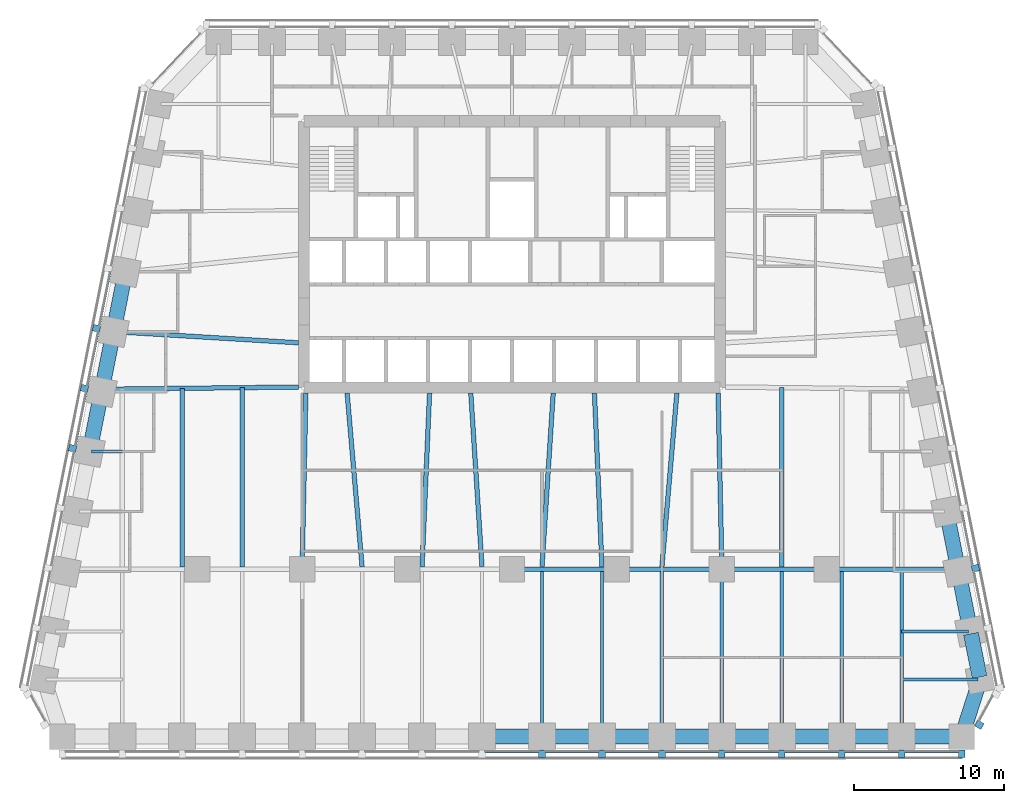
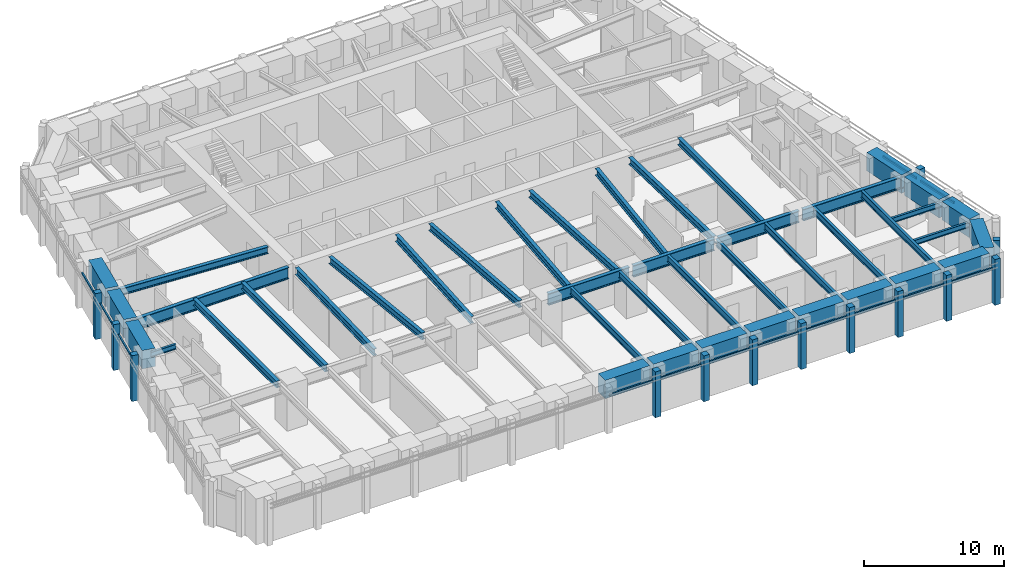
# One storey, part 2 of 10: 42 beams, 26 members, 4 elements without a shape of their own.
"""IFC4 building model written with IfcOpenShell, lengths in metres."""

from ifc_helpers import new_model, si_unit, direction, frame, origin, origin_2d, place, context, subcontext, project, spatial, rectangle, i_section, extrude, material, material_profile, profile_set, type_object, element, aggregate, save


model = new_model("IFC4")

# Units and contexts
model_context = context("Model", 3, precision=1e-05, world=origin(), true_north=direction((0.0, 1.0)))
body_context = subcontext(model_context, "Body", "Model", "MODEL_VIEW")
ifc_project = project(units=[si_unit("LENGTHUNIT", "METRE"), si_unit("AREAUNIT", "SQUARE_METRE"), si_unit("VOLUMEUNIT", "CUBIC_METRE"), si_unit("PLANEANGLEUNIT", "RADIAN"), si_unit("MASSUNIT", "GRAM", prefix="KILO")], contexts=[model_context])

# Site, building, storey
site_placement = place(None, origin())
site = spatial("IfcSite", under=ifc_project, at=site_placement, CompositionType="ELEMENT")
building_placement = place(site_placement, origin())
building = spatial("IfcBuilding", under=site, at=building_placement, Name="Isbrekke Arena Tower", CompositionType="ELEMENT")
storey_placement = place(building_placement, frame((0.0, 0.0, 159.0)))
storey = spatial("IfcBuildingStorey", under=building, at=storey_placement, Name="L36", CompositionType="ELEMENT", Elevation=159.0)

# Beams
ifc_material_1 = material(Name="Steel S355", Category="steel")
ifc_material_profile_1 = material_profile(ifc_material_1, i_section(OverallWidth=0.219970703125, OverallDepth=0.60009765625, WebThickness=0.011962890625, FlangeThickness=0.01904296875, FilletRadius=0.02392578125, at=origin_2d()), Name="IPE 600")
ifc_profile_set_1 = profile_set([ifc_material_profile_1], Name="Steel S355")
beam_type_1 = type_object("IfcBeamType", Name="B1 IPE 600", PredefinedType="BEAM", material=ifc_profile_set_1)
for number, where, z_axis, x_axis, name in (
    (1, (2.0, -17.02490234375, 3.550048828125), (0.0, 1.0, 0.0), (-1.0, 0.0, 0.0), "B1 beam S-S09 L36"),
    (2, (6.0, -17.02490234375, 3.550048828125), (0.0, 1.0, 0.0), (-1.0, 0.0, 0.0), "B1 beam S-S10 L36"),
    (3, (10.0, -17.02490234375, 3.550048828125), (0.0, 1.0, 0.0), (-1.0, 0.0, 0.0), "B1 beam S-S11 L36"),
):
    element("IfcBeam", number, at=place(storey_placement, frame(where, z_axis=z_axis, x_axis=x_axis)), inside=storey, type_object=beam_type_1, Name=name, PredefinedType="BEAM", context=body_context, shape_type="SweptSolid", body=[
        extrude(i_section(OverallWidth=0.219970703125, OverallDepth=0.60009765625, WebThickness=0.011962890625, FlangeThickness=0.01904296875, FilletRadius=0.02392578125, at=origin_2d()), origin(), (0.0, 0.0, 1.0), 10.8740234375),
    ])
beam_1_placement = place(storey_placement, frame((14.0, -17.02490234375, 3.550048828125), z_axis=(0.0, 1.0, 0.0), x_axis=(-1.0, 0.0, 0.0)))
element("IfcBeam", 4, at=beam_1_placement, inside=storey, type_object=beam_type_1, Name="B1 beam S-S12 L36", PredefinedType="BEAM", context=body_context, shape_type="SweptSolid", body=[
    extrude(i_section(OverallWidth=0.219970703125, OverallDepth=0.60009765625, WebThickness=0.011962890625, FlangeThickness=0.01904296875, FilletRadius=0.02392578125, at=origin_2d()), origin(), (0.0, 0.0, 1.0), 10.875),
])
for number, where, z_axis, x_axis, name in (
    (5, (18.0, -17.02490234375, 3.550048828125), (0.0, 1.0, 0.0), (-1.0, 0.0, 0.0), "B1 beam S-S13 L36"),
    (6, (22.0, -17.02490234375, 3.550048828125), (0.0, 1.0, 0.0), (-1.0, 0.0, 0.0), "B1 beam S-S14 L36"),
    (7, (26.0, -17.02490234375, 3.550048828125), (0.0, 1.0, 0.0), (-1.0, 0.0, 0.0), "B1 beam S-S15 L36"),
):
    element("IfcBeam", number, at=place(storey_placement, frame(where, z_axis=z_axis, x_axis=x_axis)), inside=storey, type_object=beam_type_1, Name=name, PredefinedType="BEAM", context=body_context, shape_type="SweptSolid", body=[
        extrude(i_section(OverallWidth=0.219970703125, OverallDepth=0.60009765625, WebThickness=0.011962890625, FlangeThickness=0.01904296875, FilletRadius=0.02392578125, at=origin_2d()), origin(), (0.0, 0.0, 1.0), 10.8740234375),
    ])
ifc_material_2 = material(Name="Steel S355", Category="steel")
ifc_material_profile_2 = material_profile(ifc_material_2, i_section(OverallWidth=0.18994140625, OverallDepth=0.449951171875, WebThickness=0.009521484375, FlangeThickness=0.0146484375, FilletRadius=0.02099609375, at=origin_2d()), Name="IPE 450")
ifc_profile_set_2 = profile_set([ifc_material_profile_2], Name="Steel S355")
beam_type_2 = type_object("IfcBeamType", Name="B2 IPE 450", PredefinedType="BEAM", material=ifc_profile_set_2)
beam_2_placement = place(storey_placement, frame((31.079345703125, -13.352783203125, 3.625), z_axis=(-1.0, 0.0, 0.0), x_axis=(0.0, -1.0, 0.0)))
element("IfcBeam", 8, at=beam_2_placement, inside=storey, type_object=beam_type_2, Name="B2 beam E-E01 L36", PredefinedType="BEAM", context=body_context, shape_type="SweptSolid", body=[
    extrude(i_section(OverallWidth=0.18994140625, OverallDepth=0.449951171875, WebThickness=0.009521484375, FlangeThickness=0.0146484375, FilletRadius=0.02099609375, at=origin_2d()), origin(), (0.0, 0.0, 1.0), 5.079345703125),
])
beam_3_placement = place(storey_placement, frame((30.44091796875, -10.161865234375, 3.625), z_axis=(-1.0, 0.0, 0.0), x_axis=(0.0, -1.0, 0.0)))
element("IfcBeam", 9, at=beam_3_placement, inside=storey, type_object=beam_type_2, Name="B2 beam E-E02 L36", PredefinedType="BEAM", context=body_context, shape_type="SweptSolid", body=[
    extrude(i_section(OverallWidth=0.18994140625, OverallDepth=0.449951171875, WebThickness=0.009521484375, FlangeThickness=0.0146484375, FilletRadius=0.02099609375, at=origin_2d()), origin(), (0.0, 0.0, 1.0), 4.44091796875),
])
beam_4_placement = place(storey_placement, frame((-28.041015625, 1.838134765625, 3.625), z_axis=(1.0, 0.0, 0.0), x_axis=(0.0, 1.0, 0.0)))
element("IfcBeam", 10, at=beam_4_placement, inside=storey, type_object=beam_type_2, Name="B2 beam E-W07 L36", PredefinedType="BEAM", context=body_context, shape_type="SweptSolid", body=[
    extrude(i_section(OverallWidth=0.18994140625, OverallDepth=0.449951171875, WebThickness=0.009521484375, FlangeThickness=0.0146484375, FilletRadius=0.02099609375, at=origin_2d()), origin(), (0.0, 0.0, 1.0), 2.041015625),
])
ifc_material_3 = material(Name="Steel S355", Category="steel")
ifc_material_profile_3 = material_profile(ifc_material_3, i_section(OverallWidth=0.300048828125, OverallDepth=0.60009765625, WebThickness=0.015380859375, FlangeThickness=0.030029296875, FilletRadius=0.027099609375, at=origin_2d()), Name="HEB 600")
ifc_profile_set_3 = profile_set([ifc_material_profile_3], Name="Steel S355")
beam_type_3 = type_object("IfcBeamType", Name="B7 HEB 600", PredefinedType="BEAM", material=ifc_profile_set_3)
beam_5_placement = place(storey_placement, frame((-22.0, -5.84912109375, 3.550048828125), z_axis=(0.0, 1.0, 0.0), x_axis=(-1.0, 0.0, 0.0)))
element("IfcBeam", 11, at=beam_5_placement, inside=storey, type_object=beam_type_3, Name="B7 beam C-M02 L36", PredefinedType="BEAM", context=body_context, shape_type="SweptSolid", body=[
    extrude(i_section(OverallWidth=0.300048828125, OverallDepth=0.60009765625, WebThickness=0.015380859375, FlangeThickness=0.030029296875, FilletRadius=0.027099609375, at=origin_2d()), origin(), (0.0, 0.0, 1.0), 11.91064453125),
])
beam_6_placement = place(storey_placement, frame((-18.0, -5.84912109375, 3.550048828125), z_axis=(0.0, 1.0, 0.0), x_axis=(-1.0, 0.0, 0.0)))
element("IfcBeam", 12, at=beam_6_placement, inside=storey, type_object=beam_type_3, Name="B7 beam C-M03 L36", PredefinedType="BEAM", context=body_context, shape_type="SweptSolid", body=[
    extrude(i_section(OverallWidth=0.300048828125, OverallDepth=0.60009765625, WebThickness=0.015380859375, FlangeThickness=0.030029296875, FilletRadius=0.027099609375, at=origin_2d()), origin(), (0.0, 0.0, 1.0), 11.956298828125),
])
beam_7_placement = place(storey_placement, frame((-14.0, -5.8466796875, 3.550048828125), z_axis=(0.021552887044, 0.999767709551, 0.0), x_axis=(-0.999767709551, 0.021552887044, 0.0)))
element("IfcBeam", 13, at=beam_7_placement, inside=storey, type_object=beam_type_3, Name="B7 beam C-M04 L36", PredefinedType="BEAM", context=body_context, shape_type="SweptSolid", body=[
    extrude(i_section(OverallWidth=0.300048828125, OverallDepth=0.60009765625, WebThickness=0.015380859375, FlangeThickness=0.030029296875, FilletRadius=0.027099609375, at=origin_2d()), origin(), (0.0, 0.0, 1.0), 11.599365234375),
])
beam_8_placement = place(storey_placement, frame((-10.001220703125, -5.836181640625, 3.550048828125), z_axis=(-0.085885827104, 0.996304985786, 0.0), x_axis=(-0.996304985786, -0.085885827104, 0.0)))
element("IfcBeam", 14, at=beam_8_placement, inside=storey, type_object=beam_type_3, Name="B7 beam C-M05 L36", PredefinedType="BEAM", context=body_context, shape_type="SweptSolid", body=[
    extrude(i_section(OverallWidth=0.300048828125, OverallDepth=0.60009765625, WebThickness=0.015380859375, FlangeThickness=0.030029296875, FilletRadius=0.027099609375, at=origin_2d()), origin(), (0.0, 0.0, 1.0), 11.629150390625),
])
beam_9_placement = place(storey_placement, frame((-5.999755859375, -5.842529296875, 3.550048828125), z_axis=(0.043070161667, 0.999072050041, 0.0), x_axis=(-0.999072050041, 0.043070161667, 0.0)))
element("IfcBeam", 15, at=beam_9_placement, inside=storey, type_object=beam_type_3, Name="B7 beam C-M06 L36", PredefinedType="BEAM", context=body_context, shape_type="SweptSolid", body=[
    extrude(i_section(OverallWidth=0.300048828125, OverallDepth=0.60009765625, WebThickness=0.015380859375, FlangeThickness=0.030029296875, FilletRadius=0.027099609375, at=origin_2d()), origin(), (0.0, 0.0, 1.0), 11.603271484375),
])
for number, where, z_axis, x_axis, name in (
    (16, (-2.000732421875, -5.83935546875, 3.550048828125), (-0.064516666031, 0.997916629686, 0.0), (-0.997916629686, -0.064516666031, 0.0), "B7 beam C-M07 L36"),
    (17, (2.000732421875, -5.83935546875, 3.550048828125), (0.064516666031, 0.997916629686, 0.0), (-0.997916629686, 0.064516666031, 0.0), "B7 beam C-M08 L36"),
):
    element("IfcBeam", number, at=place(storey_placement, frame(where, z_axis=z_axis, x_axis=x_axis)), inside=storey, type_object=beam_type_3, Name=name, PredefinedType="BEAM", context=body_context, shape_type="SweptSolid", body=[
        extrude(i_section(OverallWidth=0.300048828125, OverallDepth=0.60009765625, WebThickness=0.015380859375, FlangeThickness=0.030029296875, FilletRadius=0.027099609375, at=origin_2d()), origin(), (0.0, 0.0, 1.0), 11.613525390625),
    ])
beam_10_placement = place(storey_placement, frame((5.999755859375, -5.842529296875, 3.550048828125), z_axis=(-0.043070161667, 0.999072050041, 0.0), x_axis=(-0.999072050041, -0.043070161667, 0.0)))
element("IfcBeam", 18, at=beam_10_placement, inside=storey, type_object=beam_type_3, Name="B7 beam C-M09 L36", PredefinedType="BEAM", context=body_context, shape_type="SweptSolid", body=[
    extrude(i_section(OverallWidth=0.300048828125, OverallDepth=0.60009765625, WebThickness=0.015380859375, FlangeThickness=0.030029296875, FilletRadius=0.027099609375, at=origin_2d()), origin(), (0.0, 0.0, 1.0), 11.603271484375),
])
beam_11_placement = place(storey_placement, frame((10.001220703125, -5.836181640625, 3.550048828125), z_axis=(0.085885827104, 0.996304985786, 0.0), x_axis=(-0.996304985786, 0.085885827104, 0.0)))
element("IfcBeam", 19, at=beam_11_placement, inside=storey, type_object=beam_type_3, Name="B7 beam C-M10 L36", PredefinedType="BEAM", context=body_context, shape_type="SweptSolid", body=[
    extrude(i_section(OverallWidth=0.300048828125, OverallDepth=0.60009765625, WebThickness=0.015380859375, FlangeThickness=0.030029296875, FilletRadius=0.027099609375, at=origin_2d()), origin(), (0.0, 0.0, 1.0), 11.629150390625),
])
beam_12_placement = place(storey_placement, frame((14.0, -5.8466796875, 3.550048828125), z_axis=(-0.021552887044, 0.999767709551, 0.0), x_axis=(-0.999767709551, -0.021552887044, 0.0)))
element("IfcBeam", 20, at=beam_12_placement, inside=storey, type_object=beam_type_3, Name="B7 beam C-M11 L36", PredefinedType="BEAM", context=body_context, shape_type="SweptSolid", body=[
    extrude(i_section(OverallWidth=0.300048828125, OverallDepth=0.60009765625, WebThickness=0.015380859375, FlangeThickness=0.030029296875, FilletRadius=0.027099609375, at=origin_2d()), origin(), (0.0, 0.0, 1.0), 11.599365234375),
])
beam_13_placement = place(storey_placement, frame((18.0, -5.84912109375, 3.550048828125), z_axis=(0.0, 1.0, 0.0), x_axis=(-1.0, 0.0, 0.0)))
element("IfcBeam", 21, at=beam_13_placement, inside=storey, type_object=beam_type_3, Name="B7 beam C-M12 L36", PredefinedType="BEAM", context=body_context, shape_type="SweptSolid", body=[
    extrude(i_section(OverallWidth=0.300048828125, OverallDepth=0.60009765625, WebThickness=0.015380859375, FlangeThickness=0.030029296875, FilletRadius=0.027099609375, at=origin_2d()), origin(), (0.0, 0.0, 1.0), 11.956298828125),
])
beam_14_placement = place(storey_placement, frame((-26.431884765625, 9.837646484375, 3.550048828125), z_axis=(0.998172191876, -0.060434057993, 0.0), x_axis=(0.060434057993, 0.998172191876, 0.0)))
element("IfcBeam", 22, at=beam_14_placement, inside=storey, type_object=beam_type_3, Name="B7 beam E-W05 L36", PredefinedType="BEAM", context=body_context, shape_type="SweptSolid", body=[
    extrude(i_section(OverallWidth=0.300048828125, OverallDepth=0.60009765625, WebThickness=0.015380859375, FlangeThickness=0.030029296875, FilletRadius=0.027099609375, at=origin_2d()), origin(), (0.0, 0.0, 1.0), 12.2041015625),
])

# Curtain wall, members
ifc_material_4 = material(Name="Glazed aluminium curtain wall", Category="aluminium")
curtain_wall_type = type_object("IfcCurtainWallType", Name="CWM TOWER CURTAIN WALL MID ZONE", PredefinedType="USERDEFINED", material=ifc_material_4)
curtain_wall_1_placement = place(storey_placement, origin())
curtain_wall_1 = element("IfcCurtainWall", 23, at=curtain_wall_1_placement, inside=storey, type_object=curtain_wall_type, Name="CWM curtain wall L36-S", ObjectType="TOWER CURTAIN WALL MID ZONE", PredefinedType="USERDEFINED")
ifc_material_5 = material(Name="Aluminium mullion, pale brick slip cladding", Category="masonry")
ifc_material_profile_4 = material_profile(ifc_material_5, rectangle(XDim=0.449951171875, YDim=0.5, at=origin_2d()), Name="PIER 450X500")
ifc_profile_set_4 = profile_set([ifc_material_profile_4], Name="Aluminium mullion, pale brick slip cladding")
member_type_1 = type_object("IfcMemberType", Name="CWM-M PIER MULLION 450 x 500", PredefinedType="MULLION", material=ifc_profile_set_4)
member_1_placement = place(storey_placement, frame((2.0, -18.324951171875, 0.0), z_axis=(0.0, 0.0, 1.0), x_axis=(1.0, 0.0, 0.0)))
member_1 = element("IfcMember", 24, at=member_1_placement, type_object=member_type_1, Name="CWM-M mullion 9", PredefinedType="MULLION", context=body_context, shape_type="SweptSolid", body=[
    extrude(rectangle(XDim=0.449951171875, YDim=0.5, at=origin_2d()), origin(), (0.0, 0.0, 1.0), 4.0),
])
member_2_placement = place(storey_placement, frame((6.0, -18.324951171875, 0.0), z_axis=(0.0, 0.0, 1.0), x_axis=(1.0, 0.0, 0.0)))
member_2 = element("IfcMember", 25, at=member_2_placement, type_object=member_type_1, Name="CWM-M mullion 10", PredefinedType="MULLION", context=body_context, shape_type="SweptSolid", body=[
    extrude(rectangle(XDim=0.449951171875, YDim=0.5, at=origin_2d()), origin(), (0.0, 0.0, 1.0), 4.0),
])
member_3_placement = place(storey_placement, frame((10.0, -18.324951171875, 0.0), z_axis=(0.0, 0.0, 1.0), x_axis=(1.0, 0.0, 0.0)))
member_3 = element("IfcMember", 26, at=member_3_placement, type_object=member_type_1, Name="CWM-M mullion 11", PredefinedType="MULLION", context=body_context, shape_type="SweptSolid", body=[
    extrude(rectangle(XDim=0.449951171875, YDim=0.5, at=origin_2d()), origin(), (0.0, 0.0, 1.0), 4.0),
])
member_4_placement = place(storey_placement, frame((14.0, -18.324951171875, 0.0), z_axis=(0.0, 0.0, 1.0), x_axis=(1.0, 0.0, 0.0)))
member_4 = element("IfcMember", 27, at=member_4_placement, type_object=member_type_1, Name="CWM-M mullion 12", PredefinedType="MULLION", context=body_context, shape_type="SweptSolid", body=[
    extrude(rectangle(XDim=0.449951171875, YDim=0.5, at=origin_2d()), origin(), (0.0, 0.0, 1.0), 4.0),
])
member_5_placement = place(storey_placement, frame((18.0, -18.324951171875, 0.0), z_axis=(0.0, 0.0, 1.0), x_axis=(1.0, 0.0, 0.0)))
member_5 = element("IfcMember", 28, at=member_5_placement, type_object=member_type_1, Name="CWM-M mullion 13", PredefinedType="MULLION", context=body_context, shape_type="SweptSolid", body=[
    extrude(rectangle(XDim=0.449951171875, YDim=0.5, at=origin_2d()), origin(), (0.0, 0.0, 1.0), 4.0),
])
member_6_placement = place(storey_placement, frame((22.0, -18.324951171875, 0.0), z_axis=(0.0, 0.0, 1.0), x_axis=(1.0, 0.0, 0.0)))
member_6 = element("IfcMember", 29, at=member_6_placement, type_object=member_type_1, Name="CWM-M mullion 14", PredefinedType="MULLION", context=body_context, shape_type="SweptSolid", body=[
    extrude(rectangle(XDim=0.449951171875, YDim=0.5, at=origin_2d()), origin(), (0.0, 0.0, 1.0), 4.0),
])
member_7_placement = place(storey_placement, frame((26.0, -18.324951171875, 0.0), z_axis=(0.0, 0.0, 1.0), x_axis=(1.0, 0.0, 0.0)))
member_7 = element("IfcMember", 30, at=member_7_placement, type_object=member_type_1, Name="CWM-M mullion 15", PredefinedType="MULLION", context=body_context, shape_type="SweptSolid", body=[
    extrude(rectangle(XDim=0.449951171875, YDim=0.5, at=origin_2d()), origin(), (0.0, 0.0, 1.0), 4.0),
])
member_8_placement = place(storey_placement, frame((30.0, -18.324951171875, 0.0), z_axis=(0.0, 0.0, 1.0), x_axis=(1.0, 0.0, 0.0)))
member_8 = element("IfcMember", 31, at=member_8_placement, type_object=member_type_1, Name="CWM-M mullion 16", PredefinedType="MULLION", context=body_context, shape_type="SweptSolid", body=[
    extrude(rectangle(XDim=0.449951171875, YDim=0.5, at=origin_2d()), origin(), (0.0, 0.0, 1.0), 4.0),
])

# Curtain wall, member
curtain_wall_2_placement = place(storey_placement, origin())
curtain_wall_2 = element("IfcCurtainWall", 32, at=curtain_wall_2_placement, inside=storey, type_object=curtain_wall_type, Name="CWM curtain wall L36-SE", ObjectType="TOWER CURTAIN WALL MID ZONE", PredefinedType="USERDEFINED")
member_9_placement = place(storey_placement, frame((31.17529296875, -16.382080078125, 0.0), z_axis=(0.0, 0.0, 1.0), x_axis=(0.481918749773, 0.876215908676, 0.0)))
member_9 = element("IfcMember", 33, at=member_9_placement, type_object=member_type_1, Name="CWM-M mullion 1", PredefinedType="MULLION", context=body_context, shape_type="SweptSolid", body=[
    extrude(rectangle(XDim=0.449951171875, YDim=0.5, at=origin_2d()), origin(), (0.0, 0.0, 1.0), 4.0),
])
aggregate(curtain_wall_2, [member_9])

curtain_wall_3_placement = place(storey_placement, origin())
curtain_wall_3 = element("IfcCurtainWall", 34, at=curtain_wall_3_placement, inside=storey, type_object=curtain_wall_type, Name="CWM curtain wall L36-E", ObjectType="TOWER CURTAIN WALL MID ZONE", PredefinedType="USERDEFINED")
member_10_placement = place(storey_placement, frame((30.918701171875, -5.936279296875, 0.0), z_axis=(0.0, 0.0, 1.0), x_axis=(-0.196116135138, 0.980580675691, 0.0)))
member_10 = element("IfcMember", 35, at=member_10_placement, type_object=member_type_1, Name="CWM-M mullion 3", PredefinedType="MULLION", context=body_context, shape_type="SweptSolid", body=[
    extrude(rectangle(XDim=0.449951171875, YDim=0.5, at=origin_2d()), origin(), (0.0, 0.0, 1.0), 4.0),
])

# Curtain wall, members
curtain_wall_4_placement = place(storey_placement, origin())
curtain_wall_4 = element("IfcCurtainWall", 36, at=curtain_wall_4_placement, inside=storey, type_object=curtain_wall_type, Name="CWM curtain wall L36-W", ObjectType="TOWER CURTAIN WALL MID ZONE", PredefinedType="USERDEFINED")
member_11_placement = place(storey_placement, frame((-27.71875, 10.063720703125, 0.0), z_axis=(0.0, 0.0, 1.0), x_axis=(-0.196116135138, -0.980580675691, 0.0)))
member_11 = element("IfcMember", 37, at=member_11_placement, type_object=member_type_1, Name="CWM-M mullion 5", PredefinedType="MULLION", context=body_context, shape_type="SweptSolid", body=[
    extrude(rectangle(XDim=0.449951171875, YDim=0.5, at=origin_2d()), origin(), (0.0, 0.0, 1.0), 4.0),
])
member_12_placement = place(storey_placement, frame((-28.518798828125, 6.063720703125, 0.0), z_axis=(0.0, 0.0, 1.0), x_axis=(-0.196116135138, -0.980580675691, 0.0)))
member_12 = element("IfcMember", 38, at=member_12_placement, type_object=member_type_1, Name="CWM-M mullion 6", PredefinedType="MULLION", context=body_context, shape_type="SweptSolid", body=[
    extrude(rectangle(XDim=0.449951171875, YDim=0.5, at=origin_2d()), origin(), (0.0, 0.0, 1.0), 4.0),
])
member_13_placement = place(storey_placement, frame((-29.318603515625, 2.063720703125, 0.0), z_axis=(0.0, 0.0, 1.0), x_axis=(-0.196116135138, -0.980580675691, 0.0)))
member_13 = element("IfcMember", 39, at=member_13_placement, type_object=member_type_1, Name="CWM-M mullion 7", PredefinedType="MULLION", context=body_context, shape_type="SweptSolid", body=[
    extrude(rectangle(XDim=0.449951171875, YDim=0.5, at=origin_2d()), origin(), (0.0, 0.0, 1.0), 4.0),
])

# Member
ifc_material_6 = material(Name="Aluminium transom", Category="aluminium")
ifc_material_profile_5 = material_profile(ifc_material_6, rectangle(XDim=0.1201171875, YDim=0.199951171875, at=origin_2d()), Name="TRANSOM 120X200")
ifc_profile_set_5 = profile_set([ifc_material_profile_5], Name="Aluminium transom")
member_type_2 = type_object("IfcMemberType", Name="CWM-T TRANSOM 120 x 200", PredefinedType="USERDEFINED", material=ifc_profile_set_5)
member_14_placement = place(storey_placement, frame((-1.77490234375, -18.175048828125, 3.0), z_axis=(1.0, 0.0, 0.0), x_axis=(0.0, 1.0, 0.0)))
member_14 = element("IfcMember", 40, at=member_14_placement, type_object=member_type_2, Name="CWM-T transom 8", ObjectType="TRANSOM", PredefinedType="USERDEFINED", context=body_context, shape_type="SweptSolid", body=[
    extrude(rectangle(XDim=0.1201171875, YDim=0.199951171875, at=origin_2d()), origin(), (0.0, 0.0, 1.0), 3.5498046875),
])

member_15_placement = place(storey_placement, frame((2.22509765625, -18.175048828125, 3.0), z_axis=(1.0, 0.0, 0.0), x_axis=(0.0, 1.0, 0.0)))
member_15 = element("IfcMember", 41, at=member_15_placement, type_object=member_type_2, Name="CWM-T transom 9", ObjectType="TRANSOM", PredefinedType="USERDEFINED", context=body_context, shape_type="SweptSolid", body=[
    extrude(rectangle(XDim=0.1201171875, YDim=0.199951171875, at=origin_2d()), origin(), (0.0, 0.0, 1.0), 3.5498046875),
])

member_16_placement = place(storey_placement, frame((6.22509765625, -18.175048828125, 3.0), z_axis=(1.0, 0.0, 0.0), x_axis=(0.0, 1.0, 0.0)))
member_16 = element("IfcMember", 42, at=member_16_placement, type_object=member_type_2, Name="CWM-T transom 10", ObjectType="TRANSOM", PredefinedType="USERDEFINED", context=body_context, shape_type="SweptSolid", body=[
    extrude(rectangle(XDim=0.1201171875, YDim=0.199951171875, at=origin_2d()), origin(), (0.0, 0.0, 1.0), 3.5498046875),
])

member_17_placement = place(storey_placement, frame((10.22509765625, -18.175048828125, 3.0), z_axis=(1.0, 0.0, 0.0), x_axis=(0.0, 1.0, 0.0)))
member_17 = element("IfcMember", 43, at=member_17_placement, type_object=member_type_2, Name="CWM-T transom 11", ObjectType="TRANSOM", PredefinedType="USERDEFINED", context=body_context, shape_type="SweptSolid", body=[
    extrude(rectangle(XDim=0.1201171875, YDim=0.199951171875, at=origin_2d()), origin(), (0.0, 0.0, 1.0), 3.5498046875),
])

member_18_placement = place(storey_placement, frame((14.22509765625, -18.175048828125, 3.0), z_axis=(1.0, 0.0, 0.0), x_axis=(0.0, 1.0, 0.0)))
member_18 = element("IfcMember", 44, at=member_18_placement, type_object=member_type_2, Name="CWM-T transom 12", ObjectType="TRANSOM", PredefinedType="USERDEFINED", context=body_context, shape_type="SweptSolid", body=[
    extrude(rectangle(XDim=0.1201171875, YDim=0.199951171875, at=origin_2d()), origin(), (0.0, 0.0, 1.0), 3.5498046875),
])

member_19_placement = place(storey_placement, frame((18.22509765625, -18.175048828125, 3.0), z_axis=(1.0, 0.0, 0.0), x_axis=(0.0, 1.0, 0.0)))
member_19 = element("IfcMember", 45, at=member_19_placement, type_object=member_type_2, Name="CWM-T transom 13", ObjectType="TRANSOM", PredefinedType="USERDEFINED", context=body_context, shape_type="SweptSolid", body=[
    extrude(rectangle(XDim=0.1201171875, YDim=0.199951171875, at=origin_2d()), origin(), (0.0, 0.0, 1.0), 3.5498046875),
])

member_20_placement = place(storey_placement, frame((22.22509765625, -18.175048828125, 3.0), z_axis=(1.0, 0.0, 0.0), x_axis=(0.0, 1.0, 0.0)))
member_20 = element("IfcMember", 46, at=member_20_placement, type_object=member_type_2, Name="CWM-T transom 14", ObjectType="TRANSOM", PredefinedType="USERDEFINED", context=body_context, shape_type="SweptSolid", body=[
    extrude(rectangle(XDim=0.1201171875, YDim=0.199951171875, at=origin_2d()), origin(), (0.0, 0.0, 1.0), 3.5498046875),
])

member_21_placement = place(storey_placement, frame((26.22509765625, -18.175048828125, 3.0), z_axis=(1.0, 0.0, 0.0), x_axis=(0.0, 1.0, 0.0)))
member_21 = element("IfcMember", 47, at=member_21_placement, type_object=member_type_2, Name="CWM-T transom 15", ObjectType="TRANSOM", PredefinedType="USERDEFINED", context=body_context, shape_type="SweptSolid", body=[
    extrude(rectangle(XDim=0.1201171875, YDim=0.199951171875, at=origin_2d()), origin(), (0.0, 0.0, 1.0), 3.5498046875),
])

aggregate(curtain_wall_1, [member_1, member_2, member_3, member_4, member_5, member_6, member_7, member_8, member_14, member_15, member_16, member_17, member_18, member_19, member_20, member_21])

member_22_placement = place(storey_placement, frame((31.527587890625, -9.7451171875, 3.0), z_axis=(-0.196154943734, 0.980572913173, 0.0), x_axis=(-0.980572913173, -0.196154943734, 0.0)))
member_22 = element("IfcMember", 48, at=member_22_placement, type_object=member_type_2, Name="CWM-T transom 2", ObjectType="TRANSOM", PredefinedType="USERDEFINED", context=body_context, shape_type="SweptSolid", body=[
    extrude(rectangle(XDim=0.1201171875, YDim=0.199951171875, at=origin_2d()), origin(), (0.0, 0.0, 1.0), 3.62939453125),
])

member_23_placement = place(storey_placement, frame((30.7275390625, -5.7451171875, 3.0), z_axis=(-0.196154943734, 0.980572913173, 0.0), x_axis=(-0.980572913173, -0.196154943734, 0.0)))
member_23 = element("IfcMember", 49, at=member_23_placement, type_object=member_type_2, Name="CWM-T transom 3", ObjectType="TRANSOM", PredefinedType="USERDEFINED", context=body_context, shape_type="SweptSolid", body=[
    extrude(rectangle(XDim=0.1201171875, YDim=0.199951171875, at=origin_2d()), origin(), (0.0, 0.0, 1.0), 3.62939453125),
])

aggregate(curtain_wall_3, [member_10, member_22, member_23])

member_24_placement = place(storey_placement, frame((-26.815673828125, 13.813720703125, 3.0), z_axis=(-0.196154943734, -0.980572913173, 0.0), x_axis=(0.980572913173, -0.196154943734, 0.0)))
member_24 = element("IfcMember", 50, at=member_24_placement, type_object=member_type_2, Name="CWM-T transom 4", ObjectType="TRANSOM", PredefinedType="USERDEFINED", context=body_context, shape_type="SweptSolid", body=[
    extrude(rectangle(XDim=0.1201171875, YDim=0.199951171875, at=origin_2d()), origin(), (0.0, 0.0, 1.0), 3.62939453125),
])

member_25_placement = place(storey_placement, frame((-27.61572265625, 9.813720703125, 3.0), z_axis=(-0.196090262229, -0.980585849918, 0.0), x_axis=(0.980585849918, -0.196090262229, 0.0)))
member_25 = element("IfcMember", 51, at=member_25_placement, type_object=member_type_2, Name="CWM-T transom 5", ObjectType="TRANSOM", PredefinedType="USERDEFINED", context=body_context, shape_type="SweptSolid", body=[
    extrude(rectangle(XDim=0.1201171875, YDim=0.199951171875, at=origin_2d()), origin(), (0.0, 0.0, 1.0), 3.62939453125),
])

member_26_placement = place(storey_placement, frame((-28.415771484375, 5.813720703125, 3.0), z_axis=(-0.196090262229, -0.980585849918, 0.0), x_axis=(0.980585849918, -0.196090262229, 0.0)))
member_26 = element("IfcMember", 52, at=member_26_placement, type_object=member_type_2, Name="CWM-T transom 6", ObjectType="TRANSOM", PredefinedType="USERDEFINED", context=body_context, shape_type="SweptSolid", body=[
    extrude(rectangle(XDim=0.1201171875, YDim=0.199951171875, at=origin_2d()), origin(), (0.0, 0.0, 1.0), 3.62939453125),
])

aggregate(curtain_wall_4, [member_11, member_12, member_13, member_24, member_25, member_26])

# Beams
ifc_material_7 = material(Name="Steel S355", Category="steel")
ifc_material_profile_6 = material_profile(ifc_material_7, i_section(OverallWidth=0.302001953125, OverallDepth=1.008056640625, WebThickness=0.02099609375, FlangeThickness=0.0400390625, FilletRadius=0.030029296875, at=origin_2d()), Name="HEM 1000")
ifc_profile_set_6 = profile_set([ifc_material_profile_6], Name="Steel S355")
beam_type_4 = type_object("IfcBeamType", Name="G1 HEM 1000", PredefinedType="BEAM", material=ifc_profile_set_6)
for number, where, z_axis, x_axis, name in (
    (53, (0.14990234375, -6.0, 3.345947265625), (1.0, 0.0, 0.0), (0.0, 1.0, 0.0), "G1 beam G1-05 L36"),
    (54, (7.14990234375, -6.0, 3.345947265625), (1.0, 0.0, 0.0), (0.0, 1.0, 0.0), "G1 beam G1-06 L36"),
    (55, (14.14990234375, -6.0, 3.345947265625), (1.0, 0.0, 0.0), (0.0, 1.0, 0.0), "G1 beam G1-07 L36"),
):
    element("IfcBeam", number, at=place(storey_placement, frame(where, z_axis=z_axis, x_axis=x_axis)), inside=storey, type_object=beam_type_4, Name=name, PredefinedType="BEAM", context=body_context, shape_type="SweptSolid", body=[
        extrude(i_section(OverallWidth=0.302001953125, OverallDepth=1.008056640625, WebThickness=0.02099609375, FlangeThickness=0.0400390625, FilletRadius=0.030029296875, at=origin_2d()), origin(), (0.0, 0.0, 1.0), 6.7001953125),
    ])
beam_15_placement = place(storey_placement, frame((21.14990234375, -6.0, 3.345947265625), z_axis=(1.0, 0.0, 0.0), x_axis=(0.0, 1.0, 0.0)))
element("IfcBeam", 56, at=beam_15_placement, inside=storey, type_object=beam_type_4, Name="G1 beam G1-08 L36", PredefinedType="BEAM", context=body_context, shape_type="SweptSolid", body=[
    extrude(i_section(OverallWidth=0.302001953125, OverallDepth=1.008056640625, WebThickness=0.02099609375, FlangeThickness=0.0400390625, FilletRadius=0.030029296875, at=origin_2d()), origin(), (0.0, 0.0, 1.0), 8.64111328125),
])
ifc_material_8 = material(Name="Steel S355", Category="steel")
ifc_material_profile_7 = material_profile(ifc_material_8, i_section(OverallWidth=0.302001953125, OverallDepth=1.008056640625, WebThickness=0.02099609375, FlangeThickness=0.0400390625, FilletRadius=0.030029296875, at=origin_2d()), Name="HEM 1000")
ifc_profile_set_7 = profile_set([ifc_material_profile_7], Name="Steel S355")
beam_type_5 = type_object("IfcBeamType", Name="G2 HEM 1000", PredefinedType="BEAM", material=ifc_profile_set_7)
beam_16_placement = place(storey_placement, frame((-14.25, 6.14990234375, 3.345947265625), z_axis=(-0.999934928157, -0.011407867963, 0.0), x_axis=(0.011407867963, -0.999934928157, 0.0)))
element("IfcBeam", 57, at=beam_16_placement, inside=storey, type_object=beam_type_5, Name="G2 beam G2-W L36", PredefinedType="BEAM", context=body_context, shape_type="SweptSolid", body=[
    extrude(i_section(OverallWidth=0.302001953125, OverallDepth=1.008056640625, WebThickness=0.02099609375, FlangeThickness=0.0400390625, FilletRadius=0.030029296875, at=origin_2d()), origin(), (0.0, 0.0, 1.0), 13.140380859375),
])
ifc_material_9 = material(Name="Concrete B80 (C80/95)", Category="concrete")
ifc_material_profile_8 = material_profile(ifc_material_9, rectangle(XDim=1.0, YDim=1.60009765625, at=origin_2d()), Name="RC 1000x1600")
ifc_profile_set_8 = profile_set([ifc_material_profile_8], Name="Concrete B80 (C80/95)")
beam_type_6 = type_object("IfcBeamType", Name="SB2 RC 1000 x 1600", PredefinedType="SPANDREL", material=ifc_profile_set_8)
for number, where, z_axis, x_axis, name in (
    (58, (-1.85009765625, -17.175048828125, 3.199951171875), (1.0, 0.0, 0.0), (0.0, 1.0, 0.0), "SB2 spandrel S08-S09 L36"),
    (59, (2.14990234375, -17.175048828125, 3.199951171875), (1.0, 0.0, 0.0), (0.0, 1.0, 0.0), "SB2 spandrel S09-S10 L36"),
    (60, (6.14990234375, -17.175048828125, 3.199951171875), (1.0, 0.0, 0.0), (0.0, 1.0, 0.0), "SB2 spandrel S10-S11 L36"),
    (61, (10.14990234375, -17.175048828125, 3.199951171875), (1.0, 0.0, 0.0), (0.0, 1.0, 0.0), "SB2 spandrel S11-S12 L36"),
    (62, (14.14990234375, -17.175048828125, 3.199951171875), (1.0, 0.0, 0.0), (0.0, 1.0, 0.0), "SB2 spandrel S12-S13 L36"),
    (63, (18.14990234375, -17.175048828125, 3.199951171875), (1.0, 0.0, 0.0), (0.0, 1.0, 0.0), "SB2 spandrel S13-S14 L36"),
    (64, (22.14990234375, -17.175048828125, 3.199951171875), (1.0, 0.0, 0.0), (0.0, 1.0, 0.0), "SB2 spandrel S14-S15 L36"),
    (65, (26.14990234375, -17.175048828125, 3.199951171875), (1.0, 0.0, 0.0), (0.0, 1.0, 0.0), "SB2 spandrel S15-S16 L36"),
):
    element("IfcBeam", number, at=place(storey_placement, frame(where, z_axis=z_axis, x_axis=x_axis)), inside=storey, type_object=beam_type_6, Name=name, PredefinedType="SPANDREL", context=body_context, shape_type="SweptSolid", body=[
        extrude(rectangle(XDim=1.0, YDim=1.60009765625, at=origin_2d()), origin(), (0.0, 0.0, 1.0), 3.7001953125),
    ])
beam_17_placement = place(storey_placement, frame((30.0458984375, -17.0322265625, 3.199951171875), z_axis=(0.306175101476, 0.951975213562, 0.0), x_axis=(-0.951975213562, 0.306175101476, 0.0)))
element("IfcBeam", 66, at=beam_17_placement, inside=storey, type_object=beam_type_6, Name="SB2 spandrel S16-E01 L36", PredefinedType="SPANDREL", context=body_context, shape_type="SweptSolid", body=[
    extrude(rectangle(XDim=1.0, YDim=1.60009765625, at=origin_2d()), origin(), (0.0, 0.0, 1.0), 3.715087890625),
])
beam_18_placement = place(storey_placement, frame((31.19970703125, -13.205810546875, 3.199951171875), z_axis=(-0.196100243168, 0.980583853951, 0.0), x_axis=(-0.980583853951, -0.196100243168, 0.0)))
element("IfcBeam", 67, at=beam_18_placement, inside=storey, type_object=beam_type_6, Name="SB2 spandrel E01-E02 L36", PredefinedType="SPANDREL", context=body_context, shape_type="SweptSolid", body=[
    extrude(rectangle(XDim=1.0, YDim=1.60009765625, at=origin_2d()), origin(), (0.0, 0.0, 1.0), 2.954345703125),
])
beam_19_placement = place(storey_placement, frame((30.5615234375, -10.0146484375, 3.199951171875), z_axis=(-0.1960664412, 0.980590613169, 0.0), x_axis=(-0.980590613169, -0.1960664412, 0.0)))
element("IfcBeam", 68, at=beam_19_placement, inside=storey, type_object=beam_type_6, Name="SB2 spandrel E02-E03 L36", PredefinedType="SPANDREL", context=body_context, shape_type="SweptSolid", body=[
    extrude(rectangle(XDim=1.0, YDim=1.60009765625, at=origin_2d()), origin(), (0.0, 0.0, 1.0), 3.779052734375),
])
beam_20_placement = place(storey_placement, frame((29.76171875, -6.0146484375, 3.199951171875), z_axis=(-0.196128558387, 0.980578190959, 0.0), x_axis=(-0.980578190959, -0.196128558387, 0.0)))
element("IfcBeam", 69, at=beam_20_placement, inside=storey, type_object=beam_type_6, Name="SB2 spandrel E03-E04 L36", PredefinedType="SPANDREL", context=body_context, shape_type="SweptSolid", body=[
    extrude(rectangle(XDim=1.0, YDim=1.60009765625, at=origin_2d()), origin(), (0.0, 0.0, 1.0), 3.779296875),
])
beam_21_placement = place(storey_placement, frame((-25.820556640625, 13.691162109375, 3.199951171875), z_axis=(-0.1960664412, -0.980590613169, 0.0), x_axis=(0.980590613169, -0.1960664412, 0.0)))
element("IfcBeam", 70, at=beam_21_placement, inside=storey, type_object=beam_type_6, Name="SB2 spandrel W04-W05 L36", PredefinedType="SPANDREL", context=body_context, shape_type="SweptSolid", body=[
    extrude(rectangle(XDim=1.0, YDim=1.60009765625, at=origin_2d()), origin(), (0.0, 0.0, 1.0), 3.779052734375),
])
for number, where, z_axis, x_axis, name in (
    (71, (-26.620361328125, 9.691162109375, 3.199951171875), (-0.196128558387, -0.980578190959, 0.0), (0.980578190959, -0.196128558387, 0.0), "SB2 spandrel W05-W06 L36"),
    (72, (-27.42041015625, 5.691162109375, 3.199951171875), (-0.196128558387, -0.980578190959, 0.0), (0.980578190959, -0.196128558387, 0.0), "SB2 spandrel W06-W07 L36"),
):
    element("IfcBeam", number, at=place(storey_placement, frame(where, z_axis=z_axis, x_axis=x_axis)), inside=storey, type_object=beam_type_6, Name=name, PredefinedType="SPANDREL", context=body_context, shape_type="SweptSolid", body=[
        extrude(rectangle(XDim=1.0, YDim=1.60009765625, at=origin_2d()), origin(), (0.0, 0.0, 1.0), 3.779296875),
    ])

save(model, "model.ifc")
